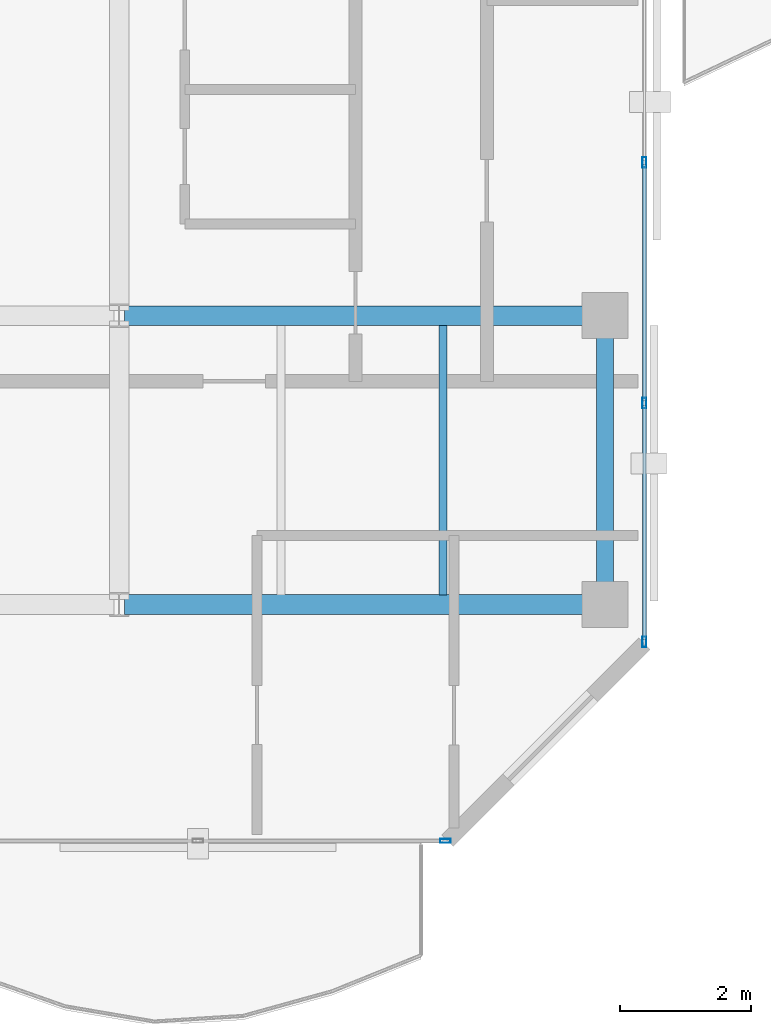
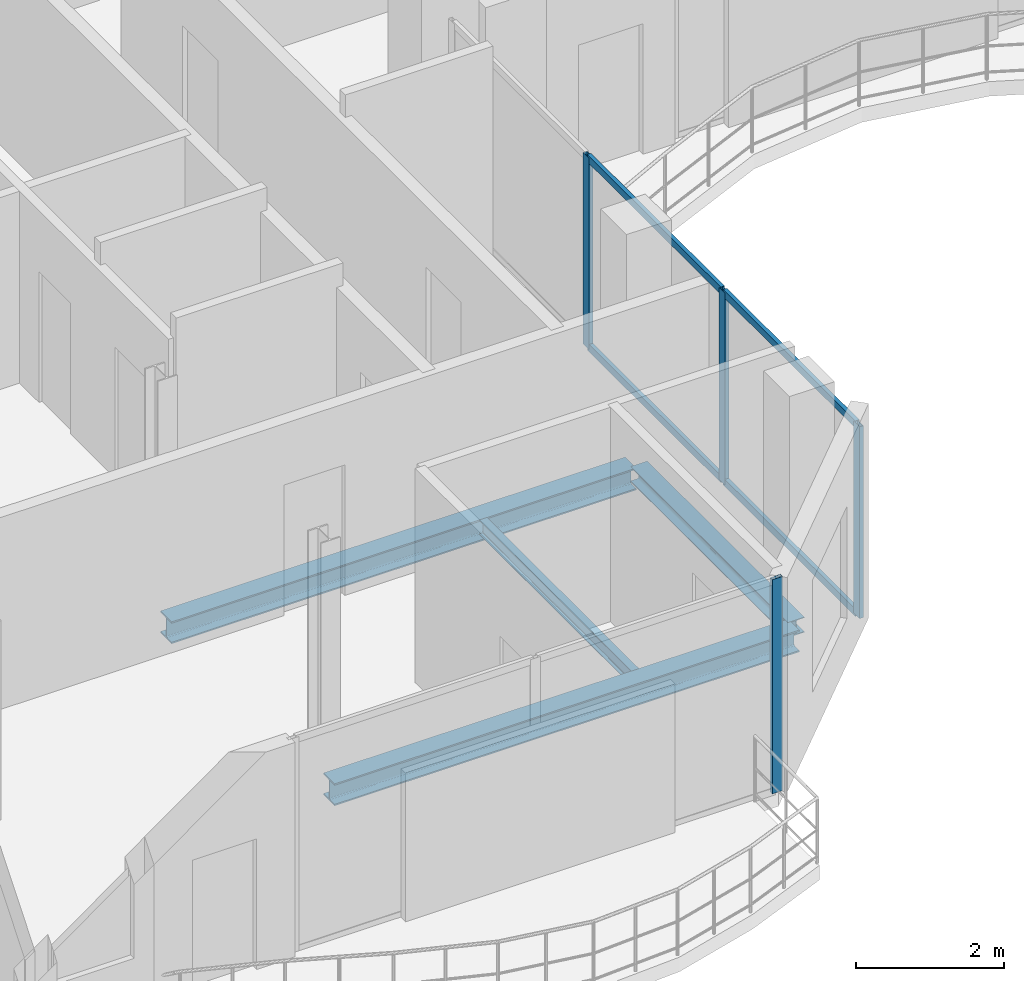
# One storey, part 7 of 23: 8 members, 4 beams, 2 elements without a shape of their own.
"""IFC4 building model written with IfcOpenShell, lengths in metres."""

from ifc_helpers import new_model, si_unit, direction, frame, origin, origin_2d, place, context, subcontext, project, spatial, hollow_rectangle, i_section, extrude, material, layer, layer_set, material_profile, profile_set, type_object, element, aggregate, save


model = new_model("IFC4")

# Units and contexts
model_context = context("Model", 3, precision=1e-05, world=origin(), true_north=direction((0.0, 1.0)))
body_context = subcontext(model_context, "Body", "Model", "MODEL_VIEW")
ifc_project = project(units=[si_unit("LENGTHUNIT", "METRE"), si_unit("AREAUNIT", "SQUARE_METRE"), si_unit("VOLUMEUNIT", "CUBIC_METRE"), si_unit("PLANEANGLEUNIT", "RADIAN"), si_unit("MASSUNIT", "GRAM", prefix="KILO")], contexts=[model_context])

# Site, building, storey
site_placement = place(None, origin())
site = spatial("IfcSite", under=ifc_project, at=site_placement, CompositionType="ELEMENT")
building_placement = place(site_placement, origin())
building = spatial("IfcBuilding", under=site, at=building_placement, Name="Catumbela Crestline Tower", CompositionType="ELEMENT")
storey_placement = place(building_placement, frame((0.0, 0.0, 252.6)))
storey = spatial("IfcBuildingStorey", under=building, at=storey_placement, Name="L65", CompositionType="ELEMENT", Elevation=252.6)

# Beams
ifc_material_1 = material(Name="Structural steel S355J2", Category="steel")
ifc_material_profile_1 = material_profile(ifc_material_1, i_section(OverallWidth=0.3, OverallDepth=0.36, WebThickness=0.0125, FlangeThickness=0.0225, FilletRadius=0.027, at=origin_2d()), Name="HEB 360")
ifc_profile_set_1 = profile_set([ifc_material_profile_1], Name="Structural steel S355J2")
beam_type_1 = type_object("IfcBeamType", Name="BG-HEB360", PredefinedType="BEAM", material=ifc_profile_set_1)
for number, where, z_axis, x_axis, name in (
    (1, (16.08, 13.6, -0.44), (1.0, 0.0, 0.0), (0.0, 1.0, 0.0), "L65 Beam BM-L65-WEW28"),
    (2, (16.08, 18.0, -0.44), (1.0, 0.0, 0.0), (0.0, 1.0, 0.0), "L65 Beam BM-L65-WEW30"),
):
    element("IfcBeam", number, at=place(storey_placement, frame(where, z_axis=z_axis, x_axis=x_axis)), inside=storey, type_object=beam_type_1, Name=name, PredefinedType="BEAM", context=body_context, shape_type="SweptSolid", body=[
        extrude(i_section(OverallWidth=0.3, OverallDepth=0.36, WebThickness=0.0125, FlangeThickness=0.0225, FilletRadius=0.027, at=origin_2d()), origin(), (0.0, 0.0, 1.0), 7.24),
    ])
ifc_material_profile_2 = material_profile(ifc_material_1, i_section(OverallWidth=0.12, OverallDepth=0.24, WebThickness=0.0062, FlangeThickness=0.0098, FilletRadius=0.015, at=origin_2d()), Name="IPE 240")
ifc_profile_set_2 = profile_set([ifc_material_profile_2], Name="Structural steel S355J2")
beam_type_2 = type_object("IfcBeamType", Name="BJ-IPE240", PredefinedType="JOIST", material=ifc_profile_set_2)
beam_1_placement = place(storey_placement, frame((20.933, 13.747, -0.38), z_axis=(0.0, 1.0, 0.0), x_axis=(-1.0, 0.0, 0.0)))
element("IfcBeam", 3, at=beam_1_placement, inside=storey, type_object=beam_type_2, Name="L65 Joist JS-L65-WG39", PredefinedType="JOIST", context=body_context, shape_type="SweptSolid", body=[
    extrude(i_section(OverallWidth=0.12, OverallDepth=0.24, WebThickness=0.0062, FlangeThickness=0.0098, FilletRadius=0.015, at=origin_2d()), origin(), (0.0, 0.0, 1.0), 4.106),
])

# Curtain wall, member
ifc_material_2 = material(Name="Aluminium alloy AW-6060-T66", Category="aluminium")
ifc_layer = layer(ifc_material_2, 0.18, Name="Aluminium alloy AW-6060-T66")
ifc_layer_set = layer_set([ifc_layer], Name="Aluminium alloy AW-6060-T66")
curtain_wall_type = type_object("IfcCurtainWallType", Name="CWU-Z4", PredefinedType="USERDEFINED", material=ifc_layer_set)
curtain_wall_1_placement = place(storey_placement, origin())
curtain_wall_1 = element("IfcCurtainWall", 4, at=curtain_wall_1_placement, inside=storey, type_object=curtain_wall_type, Name="L65 Unitised Curtain Wall CW-L65-E0S2", ObjectType="UNITISED", PredefinedType="USERDEFINED")
ifc_material_profile_3 = material_profile(ifc_material_2, hollow_rectangle(XDim=0.06, YDim=0.16, WallThickness=0.004, at=origin_2d()), Name="ALU 160x60x4")
ifc_profile_set_3 = profile_set([ifc_material_profile_3], Name="Aluminium alloy AW-6060-T66")
member_type_1 = type_object("IfcMemberType", Name="MUL-160X60", PredefinedType="MULLION", material=ifc_profile_set_3)
member_1_placement = place(storey_placement, frame((20.9675, 10.0, 0.0), z_axis=(0.0, 0.0, 1.0), x_axis=(0.0, 1.0, 0.0)))
member_1 = element("IfcMember", 5, at=member_1_placement, type_object=member_type_1, Name="CWU-Z4 mullion 3", PredefinedType="MULLION", context=body_context, shape_type="SweptSolid", body=[
    extrude(hollow_rectangle(XDim=0.06, YDim=0.16, WallThickness=0.004, at=origin_2d()), origin(), (0.0, 0.0, 1.0), 3.53),
])
aggregate(curtain_wall_1, [member_1])

# Curtain wall, members
curtain_wall_2_placement = place(storey_placement, origin())
curtain_wall_2 = element("IfcCurtainWall", 6, at=curtain_wall_2_placement, inside=storey, type_object=curtain_wall_type, Name="L65 Unitised Curtain Wall CW-L65-E2S1", ObjectType="UNITISED", PredefinedType="USERDEFINED")
member_2_placement = place(storey_placement, frame((24.0, 13.0325, 0.0), z_axis=(0.0, 0.0, 1.0), x_axis=(-1.0, 0.0, 0.0)))
member_2 = element("IfcMember", 7, at=member_2_placement, type_object=member_type_1, Name="CWU-Z4 mullion 1", PredefinedType="MULLION", context=body_context, shape_type="SweptSolid", body=[
    extrude(hollow_rectangle(XDim=0.06, YDim=0.16, WallThickness=0.004, at=origin_2d()), origin(), (0.0, 0.0, 1.0), 3.16),
])
member_3_placement = place(storey_placement, frame((24.0, 16.6667, 0.0), z_axis=(0.0, 0.0, 1.0), x_axis=(-1.0, 0.0, 0.0)))
member_3 = element("IfcMember", 8, at=member_3_placement, type_object=member_type_1, Name="CWU-Z4 mullion 2", PredefinedType="MULLION", context=body_context, shape_type="SweptSolid", body=[
    extrude(hollow_rectangle(XDim=0.06, YDim=0.16, WallThickness=0.004, at=origin_2d()), origin(), (0.0, 0.0, 1.0), 3.16),
])
member_4_placement = place(storey_placement, frame((24.0, 20.3333, 0.0), z_axis=(0.0, 0.0, 1.0), x_axis=(-1.0, 0.0, 0.0)))
member_4 = element("IfcMember", 9, at=member_4_placement, type_object=member_type_1, Name="CWU-Z4 mullion 3", PredefinedType="MULLION", context=body_context, shape_type="SweptSolid", body=[
    extrude(hollow_rectangle(XDim=0.06, YDim=0.16, WallThickness=0.004, at=origin_2d()), origin(), (0.0, 0.0, 1.0), 3.16),
])

# Beam
ifc_material_profile_4 = material_profile(ifc_material_1, i_section(OverallWidth=0.26, OverallDepth=0.25, WebThickness=0.0075, FlangeThickness=0.0125, FilletRadius=0.024, at=origin_2d()), Name="HEA 260")
ifc_profile_set_4 = profile_set([ifc_material_profile_4], Name="Structural steel S355J2")
beam_type_3 = type_object("IfcBeamType", Name="BS-HEA260", PredefinedType="SPANDREL", material=ifc_profile_set_4)
beam_2_placement = place(storey_placement, frame((23.4, 13.68, -0.385), z_axis=(0.0, 1.0, 0.0), x_axis=(-1.0, 0.0, 0.0)))
element("IfcBeam", 10, at=beam_2_placement, inside=storey, type_object=beam_type_3, Name="L65 Spandrel SP-L65-WNS35", PredefinedType="SPANDREL", context=body_context, shape_type="SweptSolid", body=[
    extrude(i_section(OverallWidth=0.26, OverallDepth=0.25, WebThickness=0.0075, FlangeThickness=0.0125, FilletRadius=0.024, at=origin_2d()), origin(), (0.0, 0.0, 1.0), 4.24),
])

# Member
ifc_material_profile_5 = material_profile(ifc_material_2, hollow_rectangle(XDim=0.06, YDim=0.12, WallThickness=0.0035, at=origin_2d()), Name="ALU 120x60x3.5")
ifc_profile_set_5 = profile_set([ifc_material_profile_5], Name="Aluminium alloy AW-6060-T66")
member_type_2 = type_object("IfcMemberType", Name="TRN-120X60", PredefinedType="USERDEFINED", material=ifc_profile_set_5)
member_5_placement = place(storey_placement, frame((24.0, 13.065, 0.03), z_axis=(0.0, 1.0, 0.0), x_axis=(-1.0, 0.0, 0.0)))
member_5 = element("IfcMember", 11, at=member_5_placement, type_object=member_type_2, Name="CWU-Z4 transom 1.1", ObjectType="TRANSOM", PredefinedType="USERDEFINED", context=body_context, shape_type="SweptSolid", body=[
    extrude(hollow_rectangle(XDim=0.06, YDim=0.12, WallThickness=0.0035, at=origin_2d()), origin(), (0.0, 0.0, 1.0), 3.5692),
])

member_6_placement = place(storey_placement, frame((24.0, 13.065, 3.13), z_axis=(0.0, 1.0, 0.0), x_axis=(-1.0, 0.0, 0.0)))
member_6 = element("IfcMember", 12, at=member_6_placement, type_object=member_type_2, Name="CWU-Z4 transom 1.2", ObjectType="TRANSOM", PredefinedType="USERDEFINED", context=body_context, shape_type="SweptSolid", body=[
    extrude(hollow_rectangle(XDim=0.06, YDim=0.12, WallThickness=0.0035, at=origin_2d()), origin(), (0.0, 0.0, 1.0), 3.5692),
])

member_7_placement = place(storey_placement, frame((24.0, 16.6992, 0.03), z_axis=(0.0, 1.0, 0.0), x_axis=(-1.0, 0.0, 0.0)))
member_7 = element("IfcMember", 13, at=member_7_placement, type_object=member_type_2, Name="CWU-Z4 transom 2.1", ObjectType="TRANSOM", PredefinedType="USERDEFINED", context=body_context, shape_type="SweptSolid", body=[
    extrude(hollow_rectangle(XDim=0.06, YDim=0.12, WallThickness=0.0035, at=origin_2d()), origin(), (0.0, 0.0, 1.0), 3.6016),
])

member_8_placement = place(storey_placement, frame((24.0, 16.6992, 3.13), z_axis=(0.0, 1.0, 0.0), x_axis=(-1.0, 0.0, 0.0)))
member_8 = element("IfcMember", 14, at=member_8_placement, type_object=member_type_2, Name="CWU-Z4 transom 2.2", ObjectType="TRANSOM", PredefinedType="USERDEFINED", context=body_context, shape_type="SweptSolid", body=[
    extrude(hollow_rectangle(XDim=0.06, YDim=0.12, WallThickness=0.0035, at=origin_2d()), origin(), (0.0, 0.0, 1.0), 3.6016),
])

aggregate(curtain_wall_2, [member_2, member_3, member_4, member_5, member_6, member_7, member_8])

save(model, "model.ifc")
